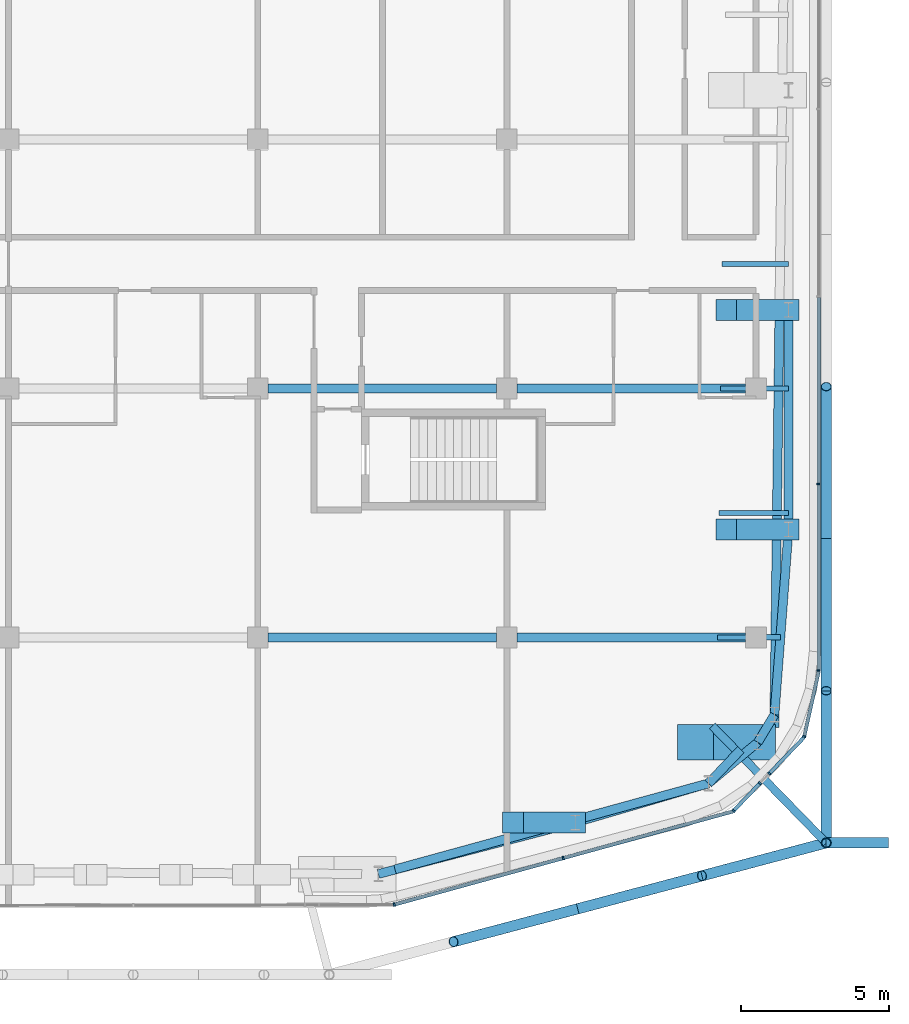
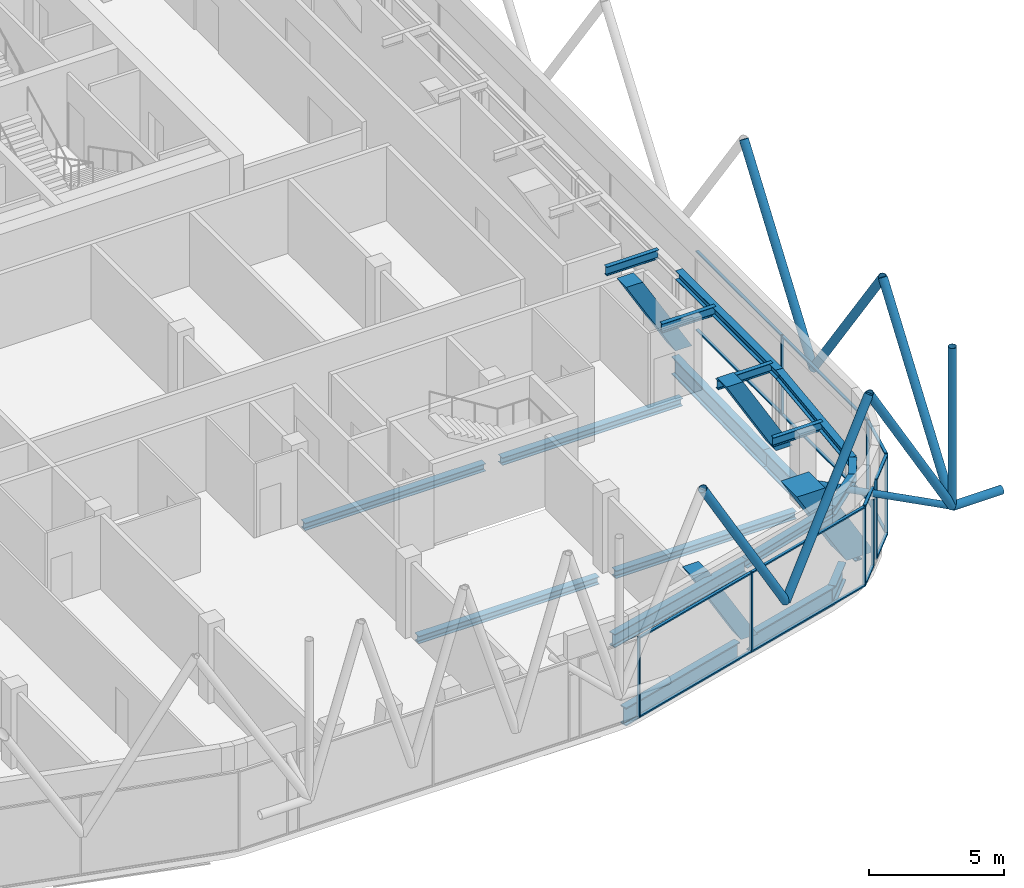
# One storey, part 6 of 25: 35 members, 19 beams, 6 elements without a shape of their own.
"""IFC4 building model written with IfcOpenShell, lengths in metres."""

from ifc_helpers import new_model, si_unit, direction, frame, origin, origin_2d, place, context, subcontext, project, spatial, rectangle, hollow_circle, i_section, extrude, material, layer, layer_set, material_profile, profile_set, type_object, element, aggregate, save


model = new_model("IFC4")

# Units and contexts
model_context = context("Model", 3, precision=1e-05, world=origin(), true_north=direction((0.0, 1.0)))
body_context = subcontext(model_context, "Body", "Model", "MODEL_VIEW")
ifc_project = project(units=[si_unit("LENGTHUNIT", "METRE"), si_unit("AREAUNIT", "SQUARE_METRE"), si_unit("VOLUMEUNIT", "CUBIC_METRE"), si_unit("PLANEANGLEUNIT", "RADIAN"), si_unit("MASSUNIT", "GRAM", prefix="KILO")], contexts=[model_context])

# Site, building, storey
site_placement = place(None, origin())
site = spatial("IfcSite", under=ifc_project, at=site_placement, CompositionType="ELEMENT")
building_placement = place(site_placement, origin())
building = spatial("IfcBuilding", under=site, at=building_placement, Name="Marenta Gate Hotel Tower", CompositionType="ELEMENT")
storey_placement = place(building_placement, frame((0.0, 0.0, 277.699951171875)))
storey = spatial("IfcBuildingStorey", under=building, at=storey_placement, Name="L64", CompositionType="ELEMENT", Elevation=277.699951171875)

# Members
ifc_material_1 = material(Name="Steel S355J2W", Category="steel")
ifc_material_profile_1 = material_profile(ifc_material_1, hollow_circle(Radius=0.161865234375, WallThickness=0.012451171875, at=origin_2d()), Name="CHS 323.9x12.5")
ifc_profile_set_1 = profile_set([ifc_material_profile_1], Name="Steel S355J2W")
member_type_1 = type_object("IfcMemberType", Name="Diagrid corner post C CHS 323.9x12.5", PredefinedType="POST", material=ifc_profile_set_1)
member_1_placement = place(storey_placement, frame((23.3701171875, -32.123291015625, 3.14013671875), z_axis=(0.0, 0.0, 1.0), x_axis=(1.0, 0.0, 0.0)))
element("IfcMember", 1, at=member_1_placement, inside=storey, type_object=member_type_1, Name="L64-DR-8", PredefinedType="POST", context=body_context, shape_type="SweptSolid", body=[
    extrude(hollow_circle(Radius=0.161865234375, WallThickness=0.012451171875, at=origin_2d()), origin(), (0.0, 0.0, 1.0), 7.199951171875),
])
ifc_material_2 = material(Name="Steel S355J2W", Category="steel")
ifc_material_profile_2 = material_profile(ifc_material_2, hollow_circle(Radius=0.177734375, WallThickness=0.01611328125, at=origin_2d()), Name="CHS 355.6x16")
ifc_profile_set_2 = profile_set([ifc_material_profile_2], Name="Steel S355J2W")
member_type_2 = type_object("IfcMemberType", Name="Diagrid diagonal C CHS 355.6x16", PredefinedType="BRACE", material=ifc_profile_set_2)
member_2_placement = place(storey_placement, frame((23.3701171875, -21.864501953125, 3.14013671875), z_axis=(0.0, 0.580213650922, 0.81446431431), x_axis=(-1.0, 0.0, 0.0)))
element("IfcMember", 2, at=member_2_placement, inside=storey, type_object=member_type_2, Name="L64-DG-8", PredefinedType="BRACE", context=body_context, shape_type="SweptSolid", body=[
    extrude(hollow_circle(Radius=0.177734375, WallThickness=0.01611328125, at=origin_2d()), origin(), (0.0, 0.0, 1.0), 8.840087890625),
])
for number, where, z_axis, x_axis, name in (
    (3, (23.3701171875, -21.864501953125, 3.14013671875), (0.0, -0.580231970533, 0.81445126335), (1.0, 0.0, 0.0), "L64-DG-9"),
    (4, (23.3701171875, -32.123291015625, 3.14013671875), (0.0, 0.580231970533, 0.81445126335), (-1.0, 0.0, 0.0), "L64-DG-10"),
):
    element("IfcMember", number, at=place(storey_placement, frame(where, z_axis=z_axis, x_axis=x_axis)), inside=storey, type_object=member_type_2, Name=name, PredefinedType="BRACE", context=body_context, shape_type="SweptSolid", body=[
        extrude(hollow_circle(Radius=0.177734375, WallThickness=0.01611328125, at=origin_2d()), origin(), (0.0, 0.0, 1.0), 8.84033203125),
    ])
member_3_placement = place(storey_placement, frame((23.3701171875, -32.123291015625, 3.14013671875), z_axis=(-0.498597206891, -0.132260142331, 0.856684352624), x_axis=(0.256397119721, -0.966571527099, 0.0)))
element("IfcMember", 5, at=member_3_placement, inside=storey, type_object=member_type_2, Name="L64-DG-11", PredefinedType="BRACE", context=body_context, shape_type="SweptSolid", body=[
    extrude(hollow_circle(Radius=0.177734375, WallThickness=0.01611328125, at=origin_2d()), origin(), (0.0, 0.0, 1.0), 8.404541015625),
])
for number, where, z_axis, x_axis, name in (
    (6, (14.989501953125, -34.3466796875, 3.14013671875), (0.498573463173, 0.132290599038, 0.856693468649), (-0.256463689668, 0.966553866001, 0.0), "L64-DG-12"),
    (7, (14.989501953125, -34.3466796875, 3.14013671875), (-0.498575378967, -0.132262057941, 0.856696760538), (0.256411076507, -0.966567824751, 0.0), "L64-DG-13"),
):
    element("IfcMember", number, at=place(storey_placement, frame(where, z_axis=z_axis, x_axis=x_axis)), inside=storey, type_object=member_type_2, Name=name, PredefinedType="BRACE", context=body_context, shape_type="SweptSolid", body=[
        extrude(hollow_circle(Radius=0.177734375, WallThickness=0.01611328125, at=origin_2d()), origin(), (0.0, 0.0, 1.0), 8.404296875),
    ])

# Beams
ifc_material_3 = material(Name="Steel S355", Category="steel")
ifc_material_profile_3 = material_profile(ifc_material_3, i_section(OverallWidth=0.302978515625, OverallDepth=0.81396484375, WebThickness=0.030029296875, FlangeThickness=0.052001953125, FilletRadius=0.030029296875, at=origin_2d()), Name="HEM 800")
ifc_profile_set_3 = profile_set([ifc_material_profile_3], Name="Steel S355")
beam_type_1 = type_object("IfcBeamType", Name="Edge beam HEM 800", PredefinedType="SPANDREL", material=ifc_profile_set_3)
for number, where, z_axis, x_axis, name in (
    (8, (21.789794921875, -14.40087890625, -0.6669921875), (-0.01235432395, -0.999923682428, 0.0), (0.999923682428, -0.01235432395, 0.0), "L64-EB-26"),
    (9, (21.704345703125, -21.31689453125, -0.6669921875), (-0.012319031246, -0.999924117856, 0.0), (0.999924117856, -0.012319031246, 0.0), "L64-EB-27"),
):
    element("IfcBeam", number, at=place(storey_placement, frame(where, z_axis=z_axis, x_axis=x_axis)), inside=storey, type_object=beam_type_1, Name=name, PredefinedType="SPANDREL", context=body_context, shape_type="SweptSolid", body=[
        extrude(i_section(OverallWidth=0.302978515625, OverallDepth=0.81396484375, WebThickness=0.030029296875, FlangeThickness=0.052001953125, FilletRadius=0.030029296875, at=origin_2d()), origin(), (0.0, 0.0, 1.0), 6.91650390625),
    ])
beam_1_placement = place(storey_placement, frame((20.49072265625, -28.979248046875, -0.6669921875), z_axis=(-0.69258652087, -0.721334812073, 0.0), x_axis=(0.721334812073, -0.69258652087, 0.0)))
element("IfcBeam", 10, at=beam_1_placement, inside=storey, type_object=beam_type_1, Name="L64-EB-28", PredefinedType="SPANDREL", context=body_context, shape_type="SweptSolid", body=[
    extrude(i_section(OverallWidth=0.302978515625, OverallDepth=0.81396484375, WebThickness=0.030029296875, FlangeThickness=0.052001953125, FilletRadius=0.030029296875, at=origin_2d()), origin(), (0.0, 0.0, 1.0), 1.57958984375),
])
beam_2_placement = place(storey_placement, frame((19.396728515625, -30.11865234375, -0.6669921875), z_axis=(-0.964358292356, -0.264599856319, 0.0), x_axis=(0.264599856319, -0.964358292356, 0.0)))
element("IfcBeam", 11, at=beam_2_placement, inside=storey, type_object=beam_type_1, Name="L64-EB-29", PredefinedType="SPANDREL", context=body_context, shape_type="SweptSolid", body=[
    extrude(i_section(OverallWidth=0.302978515625, OverallDepth=0.81396484375, WebThickness=0.030029296875, FlangeThickness=0.052001953125, FilletRadius=0.030029296875, at=origin_2d()), origin(), (0.0, 0.0, 1.0), 4.3330078125),
])
beam_3_placement = place(storey_placement, frame((14.595458984375, -31.43603515625, -0.6669921875), z_axis=(-0.964360464959, -0.264591937941, 0.0), x_axis=(0.264591937941, -0.964360464959, 0.0)))
element("IfcBeam", 12, at=beam_3_placement, inside=storey, type_object=beam_type_1, Name="L64-EB-30", PredefinedType="SPANDREL", context=body_context, shape_type="SweptSolid", body=[
    extrude(i_section(OverallWidth=0.302978515625, OverallDepth=0.81396484375, WebThickness=0.030029296875, FlangeThickness=0.052001953125, FilletRadius=0.030029296875, at=origin_2d()), origin(), (0.0, 0.0, 1.0), 5.98095703125),
])

# Members
ifc_material_4 = material(Name="Concrete C50", Category="concrete")
ifc_material_profile_4 = material_profile(ifc_material_4, rectangle(XDim=0.699951171875, YDim=0.699951171875, at=origin_2d()), Name="700 x 700")
ifc_profile_set_4 = profile_set([ifc_material_profile_4], Name="Concrete C50")
member_type_3 = type_object("IfcMemberType", Name="Edge column raked 700 x 700 C50", PredefinedType="STRUT", material=ifc_profile_set_4)
for number, where, z_axis, x_axis, name in (
    (13, (22.10009765625, -14.15087890625, 0.0), (0.0, 0.0, 1.0), (1.0, 0.0, 0.0), "L64-EC-E-SE-1"),
    (14, (22.10009765625, -21.552001953125, 0.0), (0.0, 0.0, 1.0), (1.0, 0.0, 0.0), "L64-EC-E-SE-2"),
):
    element("IfcMember", number, at=place(storey_placement, frame(where, z_axis=z_axis, x_axis=x_axis)), inside=storey, type_object=member_type_3, Name=name, PredefinedType="STRUT", context=body_context, shape_type="SweptSolid", body=[
        extrude(rectangle(XDim=0.699951171875, YDim=0.699951171875, at=origin_2d()), origin(), (-0.503878309678, 0.0, 0.863774651768), 4.16796875),
    ])
member_4_placement = place(storey_placement, frame((14.90673828125, -31.439208984375, 0.0), z_axis=(0.0, 0.0, 1.0), x_axis=(1.0, 0.0, 0.0)))
element("IfcMember", 15, at=member_4_placement, inside=storey, type_object=member_type_3, Name="L64-EC-SE-SKE-1", PredefinedType="STRUT", context=body_context, shape_type="SweptSolid", body=[
    extrude(rectangle(XDim=0.699951171875, YDim=0.699951171875, at=origin_2d()), origin(), (-0.503834603144, 0.0, 0.863800146258), 4.167724609375),
])
ifc_material_5 = material(Name="Steel S355J2W", Category="steel")
ifc_material_profile_5 = material_profile(ifc_material_5, hollow_circle(Radius=0.136474609375, WallThickness=0.012451171875, at=origin_2d()), Name="CHS 273x12.5")
ifc_profile_set_5 = profile_set([ifc_material_profile_5], Name="Steel S355J2W")
member_type_4 = type_object("IfcMemberType", Name="Floor tie CHS 273x12.5", PredefinedType="STRUT", material=ifc_profile_set_5)
member_5_placement = place(storey_placement, frame((23.3701171875, -32.123291015625, 3.14013671875), z_axis=(-0.698007540959, 0.716090408234, 0.0), x_axis=(-0.716090408234, -0.698007540959, 0.0)))
element("IfcMember", 16, at=member_5_placement, inside=storey, type_object=member_type_4, Name="L64-DR-14", PredefinedType="STRUT", context=body_context, shape_type="SweptSolid", body=[
    extrude(hollow_circle(Radius=0.136474609375, WallThickness=0.012451171875, at=origin_2d()), origin(), (0.0, 0.0, 1.0), 5.508544921875),
])

# Beams
ifc_material_6 = material(Name="Steel S355", Category="steel")
ifc_material_profile_6 = material_profile(ifc_material_6, i_section(OverallWidth=0.300048828125, OverallDepth=0.340087890625, WebThickness=0.011962890625, FlangeThickness=0.021484375, FilletRadius=0.027099609375, at=origin_2d()), Name="HEB 340")
ifc_profile_set_6 = profile_set([ifc_material_profile_6], Name="Steel S355")
beam_type_2 = type_object("IfcBeamType", Name="Girder HEB 340", PredefinedType="BEAM", material=ifc_profile_set_6)
for number, where, z_axis, x_axis, name in (
    (17, (4.550048828125, -25.199951171875, -0.429931640625), (1.0, 0.0, 0.0), (0.0, 1.0, 0.0), "L64-GD-4"),
    (18, (12.949951171875, -25.199951171875, -0.429931640625), (1.0, 0.0, 0.0), (0.0, 1.0, 0.0), "L64-GD-5"),
    (19, (4.550048828125, -16.800048828125, -0.429931640625), (1.0, 0.0, 0.0), (0.0, 1.0, 0.0), "L64-GD-9"),
    (20, (12.949951171875, -16.800048828125, -0.429931640625), (1.0, 0.0, 0.0), (0.0, 1.0, 0.0), "L64-GD-10"),
):
    element("IfcBeam", number, at=place(storey_placement, frame(where, z_axis=z_axis, x_axis=x_axis)), inside=storey, type_object=beam_type_2, Name=name, PredefinedType="BEAM", context=body_context, shape_type="SweptSolid", body=[
        extrude(i_section(OverallWidth=0.300048828125, OverallDepth=0.340087890625, WebThickness=0.011962890625, FlangeThickness=0.021484375, FilletRadius=0.027099609375, at=origin_2d()), origin(), (0.0, 0.0, 1.0), 7.699951171875),
    ])

# Member
ifc_material_7 = material(Name="Concrete C50", Category="concrete")
ifc_material_profile_7 = material_profile(ifc_material_7, rectangle(XDim=1.199951171875, YDim=1.199951171875, at=origin_2d()), Name="1200 x 1200")
ifc_profile_set_7 = profile_set([ifc_material_profile_7], Name="Concrete C50")
member_type_5 = type_object("IfcMemberType", Name="Mega column raked 1200 x 1200 C50", PredefinedType="STRUT", material=ifc_profile_set_7)
member_6_placement = place(storey_placement, frame((21.06298828125, -28.73291015625, 0.0), z_axis=(0.0, 0.0, 1.0), x_axis=(1.0, 0.0, 0.0)))
element("IfcMember", 21, at=member_6_placement, inside=storey, type_object=member_type_5, Name="L64-MC-SE", PredefinedType="STRUT", context=body_context, shape_type="SweptSolid", body=[
    extrude(rectangle(XDim=1.199951171875, YDim=1.199951171875, at=origin_2d()), origin(), (-0.503878309678, 0.0, 0.863774651768), 4.16796875),
])

# Curtain wall, members
ifc_material_8 = material(Name="Tinted insulated glass in bronze anodised frame", Category="glass")
ifc_layer = layer(ifc_material_8, 0.1201171875)
ifc_layer_set = layer_set([ifc_layer], Name="Tinted insulated glass in bronze anodised frame")
curtain_wall_type = type_object("IfcCurtainWallType", Name="Tower unitised curtain wall CW1", PredefinedType="NOTDEFINED", material=ifc_layer_set)
curtain_wall_1_placement = place(storey_placement, origin())
curtain_wall_1 = element("IfcCurtainWall", 22, at=curtain_wall_1_placement, inside=storey, type_object=curtain_wall_type, Name="CW1 run G15", PredefinedType="NOTDEFINED")
ifc_material_9 = material(Name="Bronze anodised aluminium", Category="aluminium")
ifc_material_profile_8 = material_profile(ifc_material_9, rectangle(XDim=0.1201171875, YDim=0.06005859375, at=origin_2d()), Name="Mullion CW1 60x120 bronze anodised aluminium")
ifc_profile_set_8 = profile_set([ifc_material_profile_8], Name="Bronze anodised aluminium")
member_type_6 = type_object("IfcMemberType", Name="Mullion CW1 60x120 bronze anodised aluminium", PredefinedType="MULLION", material=ifc_profile_set_8)
member_7_placement = place(storey_placement, frame((8.803955078125, -34.2041015625, 0.0), z_axis=(0.0, 0.0, 1.0), x_axis=(-0.265292115151, 0.964168083707, 0.0)))
member_7 = element("IfcMember", 23, at=member_7_placement, type_object=member_type_6, Name="CW1 mullion 1", PredefinedType="MULLION", context=body_context, shape_type="SweptSolid", body=[
    extrude(rectangle(XDim=0.1201171875, YDim=0.06005859375, at=origin_2d()), origin(), (0.0, 0.0, 1.0), 3.60009765625),
])
member_8_placement = place(storey_placement, frame((14.5, -32.636962890625, 0.0), z_axis=(0.0, 0.0, 1.0), x_axis=(-0.265292115151, 0.964168083707, 0.0)))
member_8 = element("IfcMember", 24, at=member_8_placement, type_object=member_type_6, Name="CW1 mullion 2", PredefinedType="MULLION", context=body_context, shape_type="SweptSolid", body=[
    extrude(rectangle(XDim=0.1201171875, YDim=0.06005859375, at=origin_2d()), origin(), (0.0, 0.0, 1.0), 3.60009765625),
])

# Curtain wall, member
curtain_wall_2_placement = place(storey_placement, origin())
curtain_wall_2 = element("IfcCurtainWall", 25, at=curtain_wall_2_placement, inside=storey, type_object=curtain_wall_type, Name="CW1 run G16", PredefinedType="NOTDEFINED")
member_9_placement = place(storey_placement, frame((20.24560546875, -31.0400390625, 0.0), z_axis=(0.0, 0.0, 1.0), x_axis=(-0.721388875462, 0.692530208987, 0.0)))
member_9 = element("IfcMember", 26, at=member_9_placement, type_object=member_type_6, Name="CW1 mullion 1", PredefinedType="MULLION", context=body_context, shape_type="SweptSolid", body=[
    extrude(rectangle(XDim=0.1201171875, YDim=0.06005859375, at=origin_2d()), origin(), (0.0, 0.0, 1.0), 3.60009765625),
])

curtain_wall_3_placement = place(storey_placement, origin())
curtain_wall_3 = element("IfcCurtainWall", 27, at=curtain_wall_3_placement, inside=storey, type_object=curtain_wall_type, Name="CW1 run G17", PredefinedType="NOTDEFINED")
member_10_placement = place(storey_placement, frame((21.135986328125, -30.112548828125, 0.0), z_axis=(0.0, 0.0, 1.0), x_axis=(-0.721409363741, 0.692508866302, 0.0)))
member_10 = element("IfcMember", 28, at=member_10_placement, type_object=member_type_6, Name="CW1 mullion 1", PredefinedType="MULLION", context=body_context, shape_type="SweptSolid", body=[
    extrude(rectangle(XDim=0.1201171875, YDim=0.06005859375, at=origin_2d()), origin(), (0.0, 0.0, 1.0), 3.00048828125),
])
aggregate(curtain_wall_3, [member_10])

curtain_wall_4_placement = place(storey_placement, origin())
curtain_wall_4 = element("IfcCurtainWall", 29, at=curtain_wall_4_placement, inside=storey, type_object=curtain_wall_type, Name="CW1 run G18", PredefinedType="NOTDEFINED")
member_11_placement = place(storey_placement, frame((21.44970703125, -29.78564453125, 0.0), z_axis=(0.0, 0.0, 1.0), x_axis=(-0.721348982251, 0.692571762206, 0.0)))
member_11 = element("IfcMember", 30, at=member_11_placement, type_object=member_type_6, Name="CW1 mullion 1", PredefinedType="MULLION", context=body_context, shape_type="SweptSolid", body=[
    extrude(rectangle(XDim=0.1201171875, YDim=0.06005859375, at=origin_2d()), origin(), (0.0, 0.0, 1.0), 3.60009765625),
])

curtain_wall_5_placement = place(storey_placement, origin())
curtain_wall_5 = element("IfcCurtainWall", 31, at=curtain_wall_5_placement, inside=storey, type_object=curtain_wall_type, Name="CW1 run G19", PredefinedType="NOTDEFINED")
member_12_placement = place(storey_placement, frame((22.626708984375, -28.537109375, 0.0), z_axis=(0.0, 0.0, 1.0), x_axis=(-0.97620669183, 0.216842096529, 0.0)))
member_12 = element("IfcMember", 32, at=member_12_placement, type_object=member_type_6, Name="CW1 mullion 1", PredefinedType="MULLION", context=body_context, shape_type="SweptSolid", body=[
    extrude(rectangle(XDim=0.1201171875, YDim=0.06005859375, at=origin_2d()), origin(), (0.0, 0.0, 1.0), 3.60009765625),
])

# Curtain wall, members
curtain_wall_6_placement = place(storey_placement, origin())
curtain_wall_6 = element("IfcCurtainWall", 33, at=curtain_wall_6_placement, inside=storey, type_object=curtain_wall_type, Name="CW1 run G20", PredefinedType="NOTDEFINED")
member_13_placement = place(storey_placement, frame((23.114013671875, -26.31396484375, 0.0), z_axis=(0.0, 0.0, 1.0), x_axis=(-1.0, 0.0, 0.0)))
member_13 = element("IfcMember", 34, at=member_13_placement, type_object=member_type_6, Name="CW1 mullion 1", PredefinedType="MULLION", context=body_context, shape_type="SweptSolid", body=[
    extrude(rectangle(XDim=0.1201171875, YDim=0.06005859375, at=origin_2d()), origin(), (0.0, 0.0, 1.0), 3.60009765625),
])
member_14_placement = place(storey_placement, frame((23.114013671875, -20.021240234375, 0.0), z_axis=(0.0, 0.0, 1.0), x_axis=(-1.0, 0.0, 0.0)))
member_14 = element("IfcMember", 35, at=member_14_placement, type_object=member_type_6, Name="CW1 mullion 2", PredefinedType="MULLION", context=body_context, shape_type="SweptSolid", body=[
    extrude(rectangle(XDim=0.1201171875, YDim=0.06005859375, at=origin_2d()), origin(), (0.0, 0.0, 1.0), 3.60009765625),
])

# Member
ifc_material_10 = material(Name="Steel S355J2W", Category="steel")
ifc_material_profile_9 = material_profile(ifc_material_10, hollow_circle(Radius=0.177734375, WallThickness=0.01611328125, at=origin_2d()), Name="CHS 355.6x16")
ifc_profile_set_9 = profile_set([ifc_material_profile_9], Name="Steel S355J2W")
member_type_7 = type_object("IfcMemberType", Name="Setback strut CHS 355.6x16", PredefinedType="STRUT", material=ifc_profile_set_9)
member_15_placement = place(storey_placement, frame((25.469970703125, -32.123291015625, 3.14013671875), z_axis=(-1.0, 0.0, 0.0), x_axis=(0.0, -1.0, 0.0)))
element("IfcMember", 36, at=member_15_placement, inside=storey, type_object=member_type_7, Name="L64-DR-2", PredefinedType="STRUT", context=body_context, shape_type="SweptSolid", body=[
    extrude(hollow_circle(Radius=0.177734375, WallThickness=0.01611328125, at=origin_2d()), origin(), (0.0, 0.0, 1.0), 2.099853515625),
])

# Beams
ifc_material_11 = material(Name="Steel S355", Category="steel")
ifc_material_profile_10 = material_profile(ifc_material_11, i_section(OverallWidth=0.179931640625, OverallDepth=0.39990234375, WebThickness=0.008544921875, FlangeThickness=0.013427734375, FilletRadius=0.02099609375, at=origin_2d()), Name="IPE 400")
ifc_profile_set_10 = profile_set([ifc_material_profile_10], Name="Steel S355")
beam_type_3 = type_object("IfcBeamType", Name="Terrace beam IPE 400", PredefinedType="JOIST", material=ifc_profile_set_10)
beam_4_placement = place(storey_placement, frame((19.70751953125, -25.199951171875, 3.14013671875), z_axis=(0.999989871259, 0.004500819963, 0.0), x_axis=(-0.004500819963, 0.999989871259, 0.0)))
element("IfcBeam", 37, at=beam_4_placement, inside=storey, type_object=beam_type_3, Name="L64-TB-1", PredefinedType="JOIST", context=body_context, shape_type="SweptSolid", body=[
    extrude(i_section(OverallWidth=0.179931640625, OverallDepth=0.39990234375, WebThickness=0.008544921875, FlangeThickness=0.013427734375, FilletRadius=0.02099609375, at=origin_2d()), origin(), (0.0, 0.0, 1.0), 2.115478515625),
])
beam_5_placement = place(storey_placement, frame((19.75927734375, -21.0, 3.14013671875), z_axis=(1.0, 0.0, 0.0), x_axis=(0.0, 1.0, 0.0)))
element("IfcBeam", 38, at=beam_5_placement, inside=storey, type_object=beam_type_3, Name="L64-TB-2", PredefinedType="JOIST", context=body_context, shape_type="SweptSolid", body=[
    extrude(i_section(OverallWidth=0.179931640625, OverallDepth=0.39990234375, WebThickness=0.008544921875, FlangeThickness=0.013427734375, FilletRadius=0.02099609375, at=origin_2d()), origin(), (0.0, 0.0, 1.0), 2.3408203125),
])
beam_6_placement = place(storey_placement, frame((19.81103515625, -16.800048828125, 3.14013671875), z_axis=(1.0, 0.0, 0.0), x_axis=(0.0, 1.0, 0.0)))
element("IfcBeam", 39, at=beam_6_placement, inside=storey, type_object=beam_type_3, Name="L64-TB-3", PredefinedType="JOIST", context=body_context, shape_type="SweptSolid", body=[
    extrude(i_section(OverallWidth=0.179931640625, OverallDepth=0.39990234375, WebThickness=0.008544921875, FlangeThickness=0.013427734375, FilletRadius=0.02099609375, at=origin_2d()), origin(), (0.0, 0.0, 1.0), 2.2890625),
])
beam_7_placement = place(storey_placement, frame((19.863037109375, -12.60009765625, 3.14013671875), z_axis=(1.0, 0.0, 0.0), x_axis=(0.0, 1.0, 0.0)))
element("IfcBeam", 40, at=beam_7_placement, inside=storey, type_object=beam_type_3, Name="L64-TB-4", PredefinedType="JOIST", context=body_context, shape_type="SweptSolid", body=[
    extrude(i_section(OverallWidth=0.179931640625, OverallDepth=0.39990234375, WebThickness=0.008544921875, FlangeThickness=0.013427734375, FilletRadius=0.02099609375, at=origin_2d()), origin(), (0.0, 0.0, 1.0), 2.237060546875),
])
ifc_material_12 = material(Name="Steel S355", Category="steel")
ifc_material_profile_11 = material_profile(ifc_material_12, i_section(OverallWidth=0.300048828125, OverallDepth=0.39990234375, WebThickness=0.013427734375, FlangeThickness=0.02392578125, FilletRadius=0.027099609375, at=origin_2d()), Name="HEB 400")
ifc_profile_set_11 = profile_set([ifc_material_profile_11], Name="Steel S355")
beam_type_4 = type_object("IfcBeamType", Name="Terrace edge beam HEB 400", PredefinedType="SPANDREL", material=ifc_profile_set_11)
beam_8_placement = place(storey_placement, frame((22.10009765625, -14.15087890625, 3.14013671875), z_axis=(0.0, -1.0, 0.0), x_axis=(1.0, 0.0, 0.0)))
element("IfcBeam", 41, at=beam_8_placement, inside=storey, type_object=beam_type_4, Name="L64-TE-21", PredefinedType="SPANDREL", context=body_context, shape_type="SweptSolid", body=[
    extrude(i_section(OverallWidth=0.300048828125, OverallDepth=0.39990234375, WebThickness=0.013427734375, FlangeThickness=0.02392578125, FilletRadius=0.027099609375, at=origin_2d()), origin(), (0.0, 0.0, 1.0), 7.401123046875),
])
beam_9_placement = place(storey_placement, frame((22.10009765625, -21.552001953125, 3.14013671875), z_axis=(-0.07591567817, -0.997114241102, 0.0), x_axis=(0.997114241102, -0.07591567817, 0.0)))
element("IfcBeam", 42, at=beam_9_placement, inside=storey, type_object=beam_type_4, Name="L64-TE-22", PredefinedType="SPANDREL", context=body_context, shape_type="SweptSolid", body=[
    extrude(i_section(OverallWidth=0.300048828125, OverallDepth=0.39990234375, WebThickness=0.013427734375, FlangeThickness=0.02392578125, FilletRadius=0.027099609375, at=origin_2d()), origin(), (0.0, 0.0, 1.0), 6.2646484375),
])
beam_10_placement = place(storey_placement, frame((21.62451171875, -27.798583984375, 3.14013671875), z_axis=(-0.515121405294, -0.857117225243, 0.0), x_axis=(0.857117225243, -0.515121405294, 0.0)))
element("IfcBeam", 43, at=beam_10_placement, inside=storey, type_object=beam_type_4, Name="L64-TE-23", PredefinedType="SPANDREL", context=body_context, shape_type="SweptSolid", body=[
    extrude(i_section(OverallWidth=0.300048828125, OverallDepth=0.39990234375, WebThickness=0.013427734375, FlangeThickness=0.02392578125, FilletRadius=0.027099609375, at=origin_2d()), origin(), (0.0, 0.0, 1.0), 1.090087890625),
])
beam_11_placement = place(storey_placement, frame((21.06298828125, -28.73291015625, 3.14013671875), z_axis=(-0.768858036041, -0.639419518325, 0.0), x_axis=(0.639419518325, -0.768858036041, 0.0)))
element("IfcBeam", 44, at=beam_11_placement, inside=storey, type_object=beam_type_4, Name="L64-TE-24", PredefinedType="SPANDREL", context=body_context, shape_type="SweptSolid", body=[
    extrude(i_section(OverallWidth=0.300048828125, OverallDepth=0.39990234375, WebThickness=0.013427734375, FlangeThickness=0.02392578125, FilletRadius=0.027099609375, at=origin_2d()), origin(), (0.0, 0.0, 1.0), 2.167236328125),
])
beam_12_placement = place(storey_placement, frame((19.396728515625, -30.11865234375, 3.14013671875), z_axis=(-0.959367162861, -0.282160675543, 0.0), x_axis=(0.282160675543, -0.959367162861, 0.0)))
element("IfcBeam", 45, at=beam_12_placement, inside=storey, type_object=beam_type_4, Name="L64-TE-25", PredefinedType="SPANDREL", context=body_context, shape_type="SweptSolid", body=[
    extrude(i_section(OverallWidth=0.300048828125, OverallDepth=0.39990234375, WebThickness=0.013427734375, FlangeThickness=0.02392578125, FilletRadius=0.027099609375, at=origin_2d()), origin(), (0.0, 0.0, 1.0), 4.68017578125),
])
ifc_material_13 = material(Name="Steel S355", Category="steel")
ifc_material_profile_12 = material_profile(ifc_material_13, i_section(OverallWidth=0.300048828125, OverallDepth=0.60009765625, WebThickness=0.015380859375, FlangeThickness=0.030029296875, FilletRadius=0.027099609375, at=origin_2d()), Name="HEB 600")
ifc_profile_set_12 = profile_set([ifc_material_profile_12], Name="Steel S355")
beam_type_5 = type_object("IfcBeamType", Name="Terrace edge beam HEB 600", PredefinedType="SPANDREL", material=ifc_profile_set_12)
beam_13_placement = place(storey_placement, frame((14.90673828125, -31.439208984375, 3.0400390625), z_axis=(-0.967581754231, -0.25255801092, 0.0), x_axis=(0.25255801092, -0.967581754231, 0.0)))
element("IfcBeam", 46, at=beam_13_placement, inside=storey, type_object=beam_type_5, Name="L64-TE-26", PredefinedType="SPANDREL", context=body_context, shape_type="SweptSolid", body=[
    extrude(i_section(OverallWidth=0.300048828125, OverallDepth=0.60009765625, WebThickness=0.015380859375, FlangeThickness=0.030029296875, FilletRadius=0.027099609375, at=origin_2d()), origin(), (0.0, 0.0, 1.0), 6.86328125),
])

# Member
ifc_material_14 = material(Name="Bronze anodised aluminium", Category="aluminium")
ifc_material_profile_13 = material_profile(ifc_material_14, rectangle(XDim=0.1201171875, YDim=0.06005859375, at=origin_2d()), Name="Transom CW1 60x120 bronze anodised aluminium")
ifc_profile_set_13 = profile_set([ifc_material_profile_13], Name="Bronze anodised aluminium")
member_type_8 = type_object("IfcMemberType", Name="Transom CW1 60x120 bronze anodised aluminium", PredefinedType="USERDEFINED", material=ifc_profile_set_13)
member_16_placement = place(storey_placement, frame((8.8330078125, -34.1962890625, 0.030029296875), z_axis=(0.964158143693, 0.265328238131, 0.0), x_axis=(-0.265328238131, 0.964158143693, 0.0)))
member_16 = element("IfcMember", 47, at=member_16_placement, type_object=member_type_8, Name="CW1 transom 1.1", ObjectType="TRANSOM", PredefinedType="USERDEFINED", context=body_context, shape_type="SweptSolid", body=[
    extrude(rectangle(XDim=0.1201171875, YDim=0.06005859375, at=origin_2d()), origin(), (0.0, 0.0, 1.0), 5.847412109375),
])

member_17_placement = place(storey_placement, frame((8.8330078125, -34.1962890625, 3.570068359375), z_axis=(0.964158143693, 0.265328238131, 0.0), x_axis=(-0.265328238131, 0.964158143693, 0.0)))
member_17 = element("IfcMember", 48, at=member_17_placement, type_object=member_type_8, Name="CW1 transom 1.2", ObjectType="TRANSOM", PredefinedType="USERDEFINED", context=body_context, shape_type="SweptSolid", body=[
    extrude(rectangle(XDim=0.1201171875, YDim=0.06005859375, at=origin_2d()), origin(), (0.0, 0.0, 1.0), 5.847412109375),
])

member_18_placement = place(storey_placement, frame((14.52880859375, -32.62890625, 0.030029296875), z_axis=(0.964173953392, 0.265270781656, 0.0), x_axis=(-0.265270781656, 0.964173953392, 0.0)))
member_18 = element("IfcMember", 49, at=member_18_placement, type_object=member_type_8, Name="CW1 transom 2.1", ObjectType="TRANSOM", PredefinedType="USERDEFINED", context=body_context, shape_type="SweptSolid", body=[
    extrude(rectangle(XDim=0.1201171875, YDim=0.06005859375, at=origin_2d()), origin(), (0.0, 0.0, 1.0), 5.90771484375),
])

member_19_placement = place(storey_placement, frame((14.52880859375, -32.62890625, 3.570068359375), z_axis=(0.964173953392, 0.265270781656, 0.0), x_axis=(-0.265270781656, 0.964173953392, 0.0)))
member_19 = element("IfcMember", 50, at=member_19_placement, type_object=member_type_8, Name="CW1 transom 2.2", ObjectType="TRANSOM", PredefinedType="USERDEFINED", context=body_context, shape_type="SweptSolid", body=[
    extrude(rectangle(XDim=0.1201171875, YDim=0.06005859375, at=origin_2d()), origin(), (0.0, 0.0, 1.0), 5.90771484375),
])

aggregate(curtain_wall_1, [member_7, member_8, member_16, member_17, member_18, member_19])

member_20_placement = place(storey_placement, frame((20.266357421875, -31.018310546875, 0.030029296875), z_axis=(0.692515239528, 0.72140324578, 0.0), x_axis=(-0.72140324578, 0.692515239528, 0.0)))
member_20 = element("IfcMember", 51, at=member_20_placement, type_object=member_type_8, Name="CW1 transom 1.1", ObjectType="TRANSOM", PredefinedType="USERDEFINED", context=body_context, shape_type="SweptSolid", body=[
    extrude(rectangle(XDim=0.1201171875, YDim=0.06005859375, at=origin_2d()), origin(), (0.0, 0.0, 1.0), 1.225341796875),
])

member_21_placement = place(storey_placement, frame((20.266357421875, -31.018310546875, 3.570068359375), z_axis=(0.692515239528, 0.72140324578, 0.0), x_axis=(-0.72140324578, 0.692515239528, 0.0)))
member_21 = element("IfcMember", 52, at=member_21_placement, type_object=member_type_8, Name="CW1 transom 1.2", ObjectType="TRANSOM", PredefinedType="USERDEFINED", context=body_context, shape_type="SweptSolid", body=[
    extrude(rectangle(XDim=0.1201171875, YDim=0.06005859375, at=origin_2d()), origin(), (0.0, 0.0, 1.0), 1.225341796875),
])

aggregate(curtain_wall_2, [member_9, member_20, member_21])

member_22_placement = place(storey_placement, frame((21.470458984375, -29.763916015625, 0.030029296875), z_axis=(0.692623654711, 0.721299156339, 0.0), x_axis=(-0.721299156339, 0.692623654711, 0.0)))
member_22 = element("IfcMember", 53, at=member_22_placement, type_object=member_type_8, Name="CW1 transom 1.1", ObjectType="TRANSOM", PredefinedType="USERDEFINED", context=body_context, shape_type="SweptSolid", body=[
    extrude(rectangle(XDim=0.1201171875, YDim=0.06005859375, at=origin_2d()), origin(), (0.0, 0.0, 1.0), 1.66015625),
])

member_23_placement = place(storey_placement, frame((21.470458984375, -29.763916015625, 3.570068359375), z_axis=(0.692623654711, 0.721299156339, 0.0), x_axis=(-0.721299156339, 0.692623654711, 0.0)))
member_23 = element("IfcMember", 54, at=member_23_placement, type_object=member_type_8, Name="CW1 transom 1.2", ObjectType="TRANSOM", PredefinedType="USERDEFINED", context=body_context, shape_type="SweptSolid", body=[
    extrude(rectangle(XDim=0.1201171875, YDim=0.06005859375, at=origin_2d()), origin(), (0.0, 0.0, 1.0), 1.66015625),
])

aggregate(curtain_wall_4, [member_11, member_22, member_23])

member_24_placement = place(storey_placement, frame((22.63330078125, -28.5078125, 0.030029296875), z_axis=(0.216872146276, 0.976200016477, 0.0), x_axis=(-0.976200016477, 0.216872146276, 0.0)))
member_24 = element("IfcMember", 55, at=member_24_placement, type_object=member_type_8, Name="CW1 transom 1.1", ObjectType="TRANSOM", PredefinedType="USERDEFINED", context=body_context, shape_type="SweptSolid", body=[
    extrude(rectangle(XDim=0.1201171875, YDim=0.06005859375, at=origin_2d()), origin(), (0.0, 0.0, 1.0), 2.216552734375),
])

member_25_placement = place(storey_placement, frame((22.63330078125, -28.5078125, 3.570068359375), z_axis=(0.216872146276, 0.976200016477, 0.0), x_axis=(-0.976200016477, 0.216872146276, 0.0)))
member_25 = element("IfcMember", 56, at=member_25_placement, type_object=member_type_8, Name="CW1 transom 1.2", ObjectType="TRANSOM", PredefinedType="USERDEFINED", context=body_context, shape_type="SweptSolid", body=[
    extrude(rectangle(XDim=0.1201171875, YDim=0.06005859375, at=origin_2d()), origin(), (0.0, 0.0, 1.0), 2.216552734375),
])

aggregate(curtain_wall_5, [member_12, member_24, member_25])

member_26_placement = place(storey_placement, frame((23.114013671875, -26.283935546875, 0.030029296875), z_axis=(0.0, 1.0, 0.0), x_axis=(-1.0, 0.0, 0.0)))
member_26 = element("IfcMember", 57, at=member_26_placement, type_object=member_type_8, Name="CW1 transom 1.1", ObjectType="TRANSOM", PredefinedType="USERDEFINED", context=body_context, shape_type="SweptSolid", body=[
    extrude(rectangle(XDim=0.1201171875, YDim=0.06005859375, at=origin_2d()), origin(), (0.0, 0.0, 1.0), 6.232666015625),
])

member_27_placement = place(storey_placement, frame((23.114013671875, -26.283935546875, 3.570068359375), z_axis=(0.0, 1.0, 0.0), x_axis=(-1.0, 0.0, 0.0)))
member_27 = element("IfcMember", 58, at=member_27_placement, type_object=member_type_8, Name="CW1 transom 1.2", ObjectType="TRANSOM", PredefinedType="USERDEFINED", context=body_context, shape_type="SweptSolid", body=[
    extrude(rectangle(XDim=0.1201171875, YDim=0.06005859375, at=origin_2d()), origin(), (0.0, 0.0, 1.0), 6.232666015625),
])

member_28_placement = place(storey_placement, frame((23.114013671875, -19.9912109375, 0.030029296875), z_axis=(0.0, 1.0, 0.0), x_axis=(-1.0, 0.0, 0.0)))
member_28 = element("IfcMember", 59, at=member_28_placement, type_object=member_type_8, Name="CW1 transom 2.1", ObjectType="TRANSOM", PredefinedType="USERDEFINED", context=body_context, shape_type="SweptSolid", body=[
    extrude(rectangle(XDim=0.1201171875, YDim=0.06005859375, at=origin_2d()), origin(), (0.0, 0.0, 1.0), 6.2626953125),
])

member_29_placement = place(storey_placement, frame((23.114013671875, -19.9912109375, 3.570068359375), z_axis=(0.0, 1.0, 0.0), x_axis=(-1.0, 0.0, 0.0)))
member_29 = element("IfcMember", 60, at=member_29_placement, type_object=member_type_8, Name="CW1 transom 2.2", ObjectType="TRANSOM", PredefinedType="USERDEFINED", context=body_context, shape_type="SweptSolid", body=[
    extrude(rectangle(XDim=0.1201171875, YDim=0.06005859375, at=origin_2d()), origin(), (0.0, 0.0, 1.0), 6.2626953125),
])

aggregate(curtain_wall_6, [member_13, member_14, member_26, member_27, member_28, member_29])

save(model, "model.ifc")
